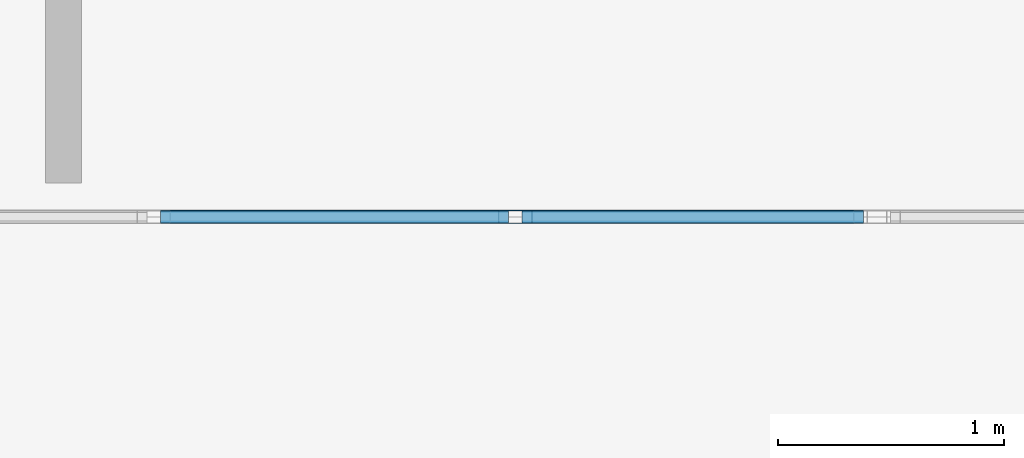
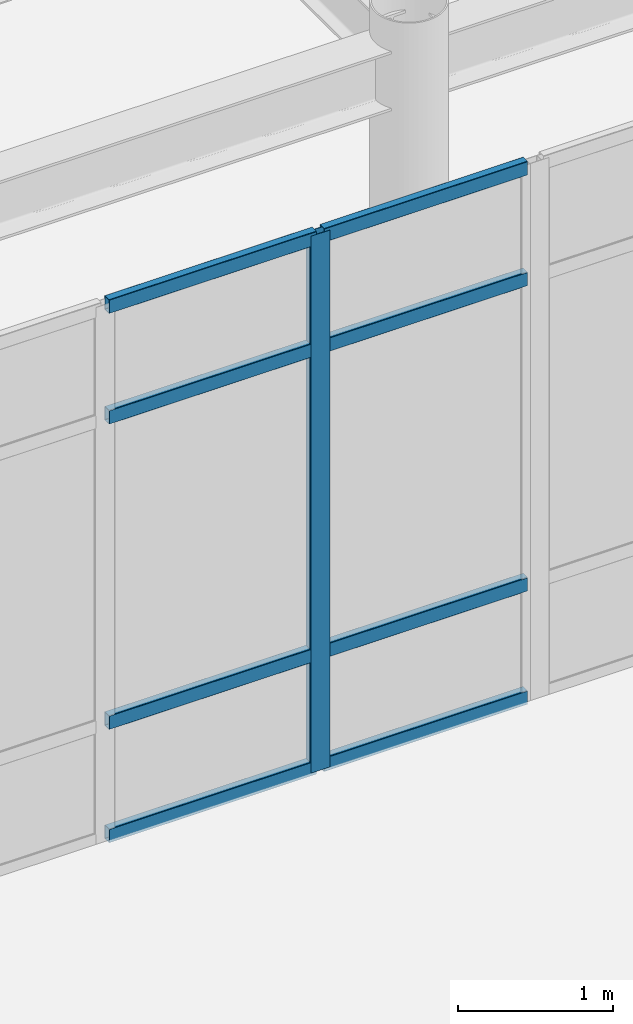
# One storey, part 36 of 93: 9 members, 1 element without a shape of its own.
"""IFC4 building model written with IfcOpenShell, lengths in metres."""

from ifc_helpers import new_model, si_unit, direction, frame, origin, origin_2d, place, context, subcontext, project, spatial, hollow_rectangle, extrude, material, material_profile, profile_set, type_object, element, aggregate, save


model = new_model("IFC4")

# Units and contexts
model_context = context("Model", 3, precision=1e-05, world=origin(), true_north=direction((0.0, 1.0)))
body_context = subcontext(model_context, "Body", "Model", "MODEL_VIEW")
ifc_project = project(units=[si_unit("LENGTHUNIT", "METRE"), si_unit("AREAUNIT", "SQUARE_METRE"), si_unit("VOLUMEUNIT", "CUBIC_METRE"), si_unit("PLANEANGLEUNIT", "RADIAN"), si_unit("MASSUNIT", "GRAM", prefix="KILO")], contexts=[model_context])

# Site, building, storey
site_placement = place(None, origin())
site = spatial("IfcSite", under=ifc_project, at=site_placement, CompositionType="ELEMENT")
building_placement = place(site_placement, origin())
building = spatial("IfcBuilding", under=site, at=building_placement, Name="Solmirada Galleria", CompositionType="ELEMENT")
storey_placement = place(building_placement, frame((0.0, 0.0, 14.89990234375)))
storey = spatial("IfcBuildingStorey", under=building, at=storey_placement, Name="L03", CompositionType="ELEMENT", Elevation=14.89990234375)

# Curtain wall, members
ifc_material_1 = material(Name="Impact-resistant low-E double glazing", Category="glass")
curtain_wall_type = type_object("IfcCurtainWallType", Name="CW-FZ4-L03-B5-L080", PredefinedType="NOTDEFINED", material=ifc_material_1)
curtain_wall_placement = place(storey_placement, origin())
curtain_wall = element("IfcCurtainWall", 1, at=curtain_wall_placement, inside=storey, type_object=curtain_wall_type, Name="Terrace and arcade storefront CW-L03-125", PredefinedType="NOTDEFINED")
ifc_material_2 = material(Name="Anodised aluminium framing", Category="aluminium")
ifc_material_profile_1 = material_profile(ifc_material_2, hollow_rectangle(XDim=0.06005859375, YDim=0.14990234375, WallThickness=0.00341796875, InnerFilletRadius=0.00341796875, OuterFilletRadius=0.007080078125, at=origin_2d()), Name="ALU-MULL-150X60")
ifc_profile_set_1 = profile_set([ifc_material_profile_1], Name="Anodised aluminium framing")
member_type_1 = type_object("IfcMemberType", Name="CW-MULL-150", PredefinedType="MULLION", material=ifc_profile_set_1)
member_1_placement = place(storey_placement, frame((70.39990234375, 86.39990234375, 0.0), z_axis=(0.0, 0.0, 1.0), x_axis=(0.0, -1.0, 0.0)))
member_1 = element("IfcMember", 2, at=member_1_placement, type_object=member_type_1, Name="CW28 mullion 2", PredefinedType="MULLION", context=body_context, shape_type="SweptSolid", body=[
    extrude(hollow_rectangle(XDim=0.06005859375, YDim=0.14990234375, WallThickness=0.00341796875, InnerFilletRadius=0.00341796875, OuterFilletRadius=0.007080078125, at=origin_2d()), origin(), (0.0, 0.0, 1.0), 4.22021484375),
])
ifc_material_profile_2 = material_profile(ifc_material_2, hollow_rectangle(XDim=0.06005859375, YDim=0.110107421875, WallThickness=0.003173828125, InnerFilletRadius=0.003173828125, OuterFilletRadius=0.00634765625, at=origin_2d()), Name="ALU-TRAN-110X60")
ifc_profile_set_2 = profile_set([ifc_material_profile_2], Name="Anodised aluminium framing")
member_type_2 = type_object("IfcMemberType", Name="CW-TRAN-110", PredefinedType="USERDEFINED", material=ifc_profile_set_2)
member_2_placement = place(storey_placement, frame((71.93994140625, 86.39990234375, 0.030029296875), z_axis=(-1.0, 0.0, 0.0), x_axis=(0.0, -1.0, 0.0)))
member_2 = element("IfcMember", 3, at=member_2_placement, type_object=member_type_2, Name="CW28 transom 1.1", ObjectType="TRANSOM", PredefinedType="USERDEFINED", context=body_context, shape_type="SweptSolid", body=[
    extrude(hollow_rectangle(XDim=0.06005859375, YDim=0.110107421875, WallThickness=0.003173828125, InnerFilletRadius=0.003173828125, OuterFilletRadius=0.00634765625, at=origin_2d()), origin(), (0.0, 0.0, 1.0), 1.510009765625),
])
member_3_placement = place(storey_placement, frame((71.93994140625, 86.39990234375, 0.920166015625), z_axis=(-1.0, 0.0, 0.0), x_axis=(0.0, -1.0, 0.0)))
member_3 = element("IfcMember", 4, at=member_3_placement, type_object=member_type_2, Name="CW28 transom 1.2", ObjectType="TRANSOM", PredefinedType="USERDEFINED", context=body_context, shape_type="SweptSolid", body=[
    extrude(hollow_rectangle(XDim=0.06005859375, YDim=0.110107421875, WallThickness=0.003173828125, InnerFilletRadius=0.003173828125, OuterFilletRadius=0.00634765625, at=origin_2d()), origin(), (0.0, 0.0, 1.0), 1.510009765625),
])
member_4_placement = place(storey_placement, frame((71.93994140625, 86.39990234375, 3.320068359375), z_axis=(-1.0, 0.0, 0.0), x_axis=(0.0, -1.0, 0.0)))
member_4 = element("IfcMember", 5, at=member_4_placement, type_object=member_type_2, Name="CW28 transom 1.3", ObjectType="TRANSOM", PredefinedType="USERDEFINED", context=body_context, shape_type="SweptSolid", body=[
    extrude(hollow_rectangle(XDim=0.06005859375, YDim=0.110107421875, WallThickness=0.003173828125, InnerFilletRadius=0.003173828125, OuterFilletRadius=0.00634765625, at=origin_2d()), origin(), (0.0, 0.0, 1.0), 1.510009765625),
])
member_5_placement = place(storey_placement, frame((71.93994140625, 86.39990234375, 4.190185546875), z_axis=(-1.0, 0.0, 0.0), x_axis=(0.0, -1.0, 0.0)))
member_5 = element("IfcMember", 6, at=member_5_placement, type_object=member_type_2, Name="CW28 transom 1.4", ObjectType="TRANSOM", PredefinedType="USERDEFINED", context=body_context, shape_type="SweptSolid", body=[
    extrude(hollow_rectangle(XDim=0.06005859375, YDim=0.110107421875, WallThickness=0.003173828125, InnerFilletRadius=0.003173828125, OuterFilletRadius=0.00634765625, at=origin_2d()), origin(), (0.0, 0.0, 1.0), 1.510009765625),
])
member_6_placement = place(storey_placement, frame((70.3701171875, 86.39990234375, 0.030029296875), z_axis=(-1.0, 0.0, 0.0), x_axis=(0.0, -1.0, 0.0)))
member_6 = element("IfcMember", 7, at=member_6_placement, type_object=member_type_2, Name="CW28 transom 2.1", ObjectType="TRANSOM", PredefinedType="USERDEFINED", context=body_context, shape_type="SweptSolid", body=[
    extrude(hollow_rectangle(XDim=0.06005859375, YDim=0.110107421875, WallThickness=0.003173828125, InnerFilletRadius=0.003173828125, OuterFilletRadius=0.00634765625, at=origin_2d()), origin(), (0.0, 0.0, 1.0), 1.5400390625),
])
member_7_placement = place(storey_placement, frame((70.3701171875, 86.39990234375, 0.920166015625), z_axis=(-1.0, 0.0, 0.0), x_axis=(0.0, -1.0, 0.0)))
member_7 = element("IfcMember", 8, at=member_7_placement, type_object=member_type_2, Name="CW28 transom 2.2", ObjectType="TRANSOM", PredefinedType="USERDEFINED", context=body_context, shape_type="SweptSolid", body=[
    extrude(hollow_rectangle(XDim=0.06005859375, YDim=0.110107421875, WallThickness=0.003173828125, InnerFilletRadius=0.003173828125, OuterFilletRadius=0.00634765625, at=origin_2d()), origin(), (0.0, 0.0, 1.0), 1.5400390625),
])
member_8_placement = place(storey_placement, frame((70.3701171875, 86.39990234375, 3.320068359375), z_axis=(-1.0, 0.0, 0.0), x_axis=(0.0, -1.0, 0.0)))
member_8 = element("IfcMember", 9, at=member_8_placement, type_object=member_type_2, Name="CW28 transom 2.3", ObjectType="TRANSOM", PredefinedType="USERDEFINED", context=body_context, shape_type="SweptSolid", body=[
    extrude(hollow_rectangle(XDim=0.06005859375, YDim=0.110107421875, WallThickness=0.003173828125, InnerFilletRadius=0.003173828125, OuterFilletRadius=0.00634765625, at=origin_2d()), origin(), (0.0, 0.0, 1.0), 1.5400390625),
])
member_9_placement = place(storey_placement, frame((70.3701171875, 86.39990234375, 4.190185546875), z_axis=(-1.0, 0.0, 0.0), x_axis=(0.0, -1.0, 0.0)))
member_9 = element("IfcMember", 10, at=member_9_placement, type_object=member_type_2, Name="CW28 transom 2.4", ObjectType="TRANSOM", PredefinedType="USERDEFINED", context=body_context, shape_type="SweptSolid", body=[
    extrude(hollow_rectangle(XDim=0.06005859375, YDim=0.110107421875, WallThickness=0.003173828125, InnerFilletRadius=0.003173828125, OuterFilletRadius=0.00634765625, at=origin_2d()), origin(), (0.0, 0.0, 1.0), 1.5400390625),
])
aggregate(curtain_wall, [member_1, member_2, member_3, member_4, member_5, member_6, member_7, member_8, member_9])

save(model, "model.ifc")
